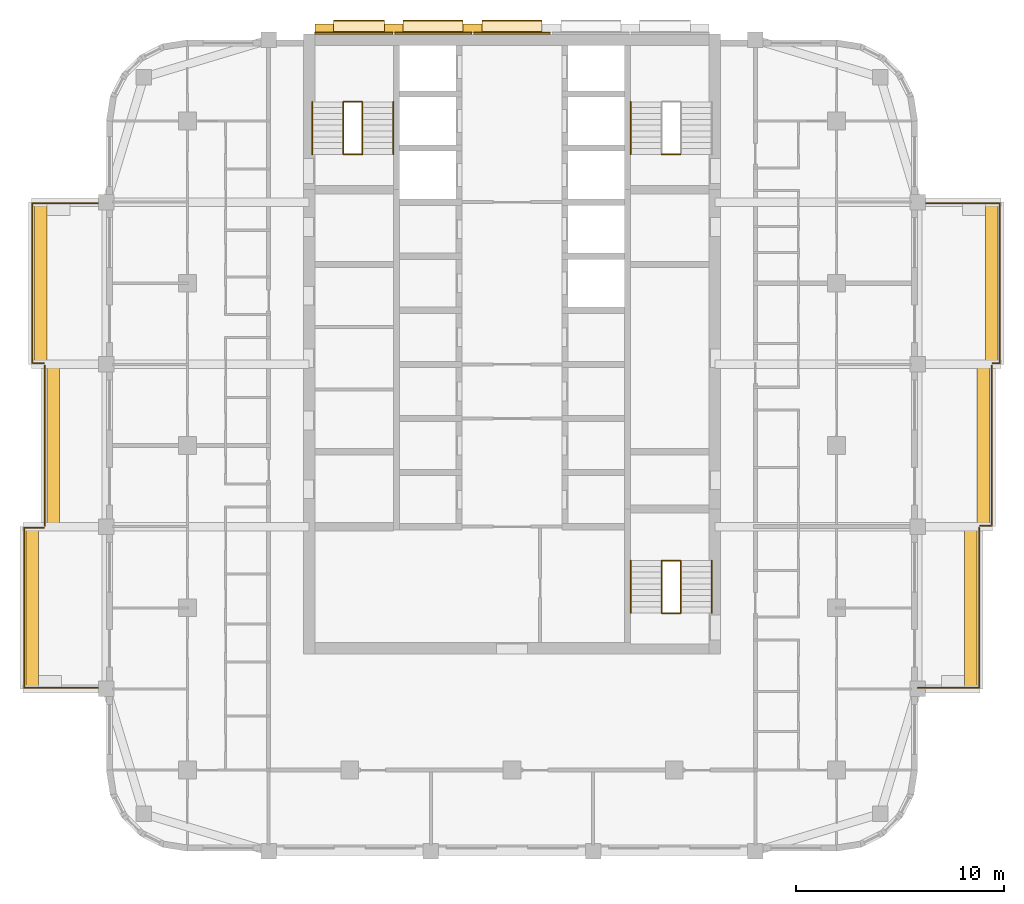
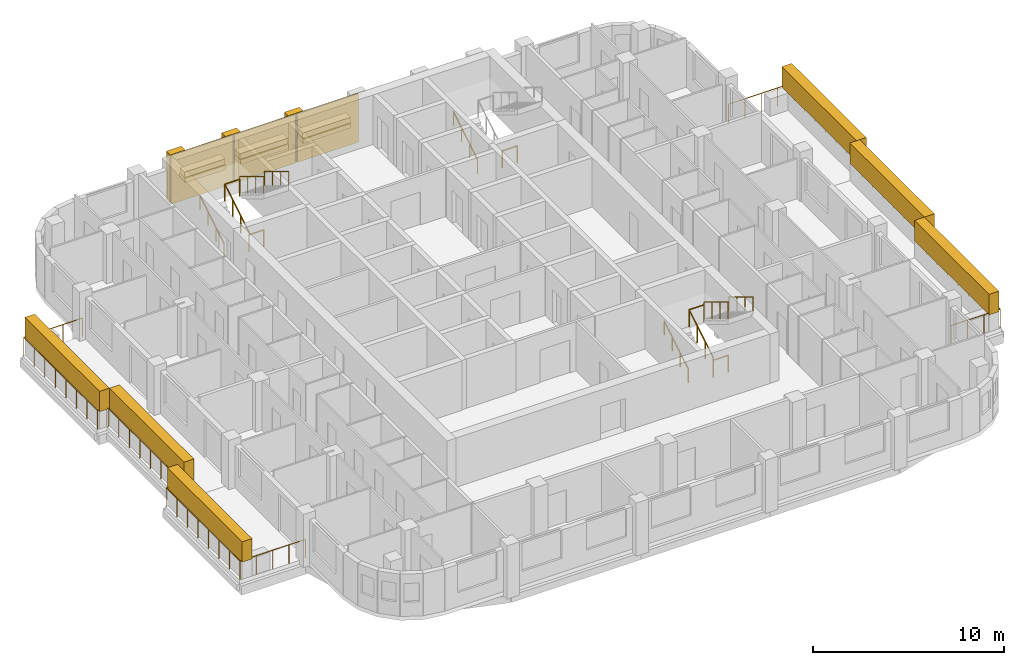
# One storey, part 12 of 13: 20 railings, 18 coverings, 3 elements without a shape of their own.
"""IFC4 building model written with IfcOpenShell, lengths in metres."""

from ifc_helpers import new_model, si_unit, direction, frame, origin, origin_2d, place, context, subcontext, project, spatial, rectangle, circle, extrude, material, layer, layer_set, type_object, element, aggregate, save


model = new_model("IFC4")

# Units and contexts
model_context = context("Model", 3, precision=1e-05, world=origin(), true_north=direction((0.0, 1.0)))
body_context = subcontext(model_context, "Body", "Model", "MODEL_VIEW")
ifc_project = project(units=[si_unit("LENGTHUNIT", "METRE"), si_unit("AREAUNIT", "SQUARE_METRE"), si_unit("VOLUMEUNIT", "CUBIC_METRE"), si_unit("PLANEANGLEUNIT", "RADIAN"), si_unit("MASSUNIT", "GRAM", prefix="KILO")], contexts=[model_context])

# Site, building, storey
site_placement = place(None, origin())
site = spatial("IfcSite", under=ifc_project, at=site_placement, CompositionType="ELEMENT")
building_placement = place(site_placement, origin())
building = spatial("IfcBuilding", under=site, at=building_placement, Name="Ludao Terraces", CompositionType="ELEMENT")
storey_placement = place(building_placement, frame((0.0, 0.0, 186.0)))
storey = spatial("IfcBuildingStorey", under=building, at=storey_placement, Name="L50", CompositionType="ELEMENT", Elevation=186.0)

# Railings
ifc_material_1 = material(Name="Stainless steel 304", Category="steel")
railing_type_1 = type_object("IfcRailingType", Name="ENV Balcony glass guard 1200", PredefinedType="GUARDRAIL", material=ifc_material_1)
railing_1_placement = place(storey_placement, frame((104.5, 53.35009765625, 0.0)))
element("IfcRailing", 1, at=railing_1_placement, inside=storey, type_object=railing_type_1, Name="Balcony guard L50 E1", PredefinedType="GUARDRAIL", context=body_context, shape_type="SweptSolid", body=[
    extrude(circle(Radius=0.02392578125, at=origin_2d()), frame((0.0, 0.0, 1.17578125), z_axis=(1.0, 0.0, 0.0), x_axis=(0.0, 1.0, 0.0)), (0.0, 0.0, 1.0), 2.949951171875),
    extrude(circle(Radius=0.02392578125, at=origin_2d()), frame((2.949951171875, 0.0, 1.17578125), z_axis=(0.0, 1.0, 0.0), x_axis=(-1.0, 0.0, 0.0)), (0.0, 0.0, 1.0), 7.699951171875),
    extrude(circle(Radius=0.02099609375, at=origin_2d()), origin(), (0.0, 0.0, 1.0), 1.15185546875),
    extrude(circle(Radius=0.02099609375, at=origin_2d()), frame((0.9833984375, 0.0, 0.0)), (0.0, 0.0, 1.0), 1.15185546875),
    extrude(circle(Radius=0.02099609375, at=origin_2d()), frame((1.966552734375, 0.0, 0.0)), (0.0, 0.0, 1.0), 1.15185546875),
    extrude(circle(Radius=0.02099609375, at=origin_2d()), frame((2.949951171875, 0.0, 0.0)), (0.0, 0.0, 1.0), 1.15185546875),
    extrude(circle(Radius=0.02099609375, at=origin_2d()), frame((2.949951171875, 1.10009765625, 0.0)), (0.0, 0.0, 1.0), 1.15185546875),
    extrude(circle(Radius=0.02099609375, at=origin_2d()), frame((2.949951171875, 2.199951171875, 0.0)), (0.0, 0.0, 1.0), 1.15185546875),
    extrude(circle(Radius=0.02099609375, at=origin_2d()), frame((2.949951171875, 3.300048828125, 0.0)), (0.0, 0.0, 1.0), 1.15185546875),
    extrude(circle(Radius=0.02099609375, at=origin_2d()), frame((2.949951171875, 4.39990234375, 0.0)), (0.0, 0.0, 1.0), 1.15185546875),
    extrude(circle(Radius=0.02099609375, at=origin_2d()), frame((2.949951171875, 5.5, 0.0)), (0.0, 0.0, 1.0), 1.15185546875),
    extrude(circle(Radius=0.02099609375, at=origin_2d()), frame((2.949951171875, 6.599853515625, 0.0)), (0.0, 0.0, 1.0), 1.15185546875),
    extrude(circle(Radius=0.02099609375, at=origin_2d()), frame((2.949951171875, 7.699951171875, 0.0)), (0.0, 0.0, 1.0), 1.15185546875),
])
railing_2_placement = place(storey_placement, frame((107.5, 61.14990234375, 0.0)))
element("IfcRailing", 2, at=railing_2_placement, inside=storey, type_object=railing_type_1, Name="Balcony guard L50 E2", PredefinedType="GUARDRAIL", context=body_context, shape_type="SweptSolid", body=[
    extrude(circle(Radius=0.02392578125, at=origin_2d()), frame((0.0, 0.0, 1.17578125), z_axis=(1.0, 0.0, 0.0), x_axis=(0.0, 1.0, 0.0)), (0.0, 0.0, 1.0), 0.550048828125),
    extrude(circle(Radius=0.02392578125, at=origin_2d()), frame((0.550048828125, 0.0, 1.17578125), z_axis=(0.0, 1.0, 0.0), x_axis=(-1.0, 0.0, 0.0)), (0.0, 0.0, 1.0), 7.7001953125),
    extrude(circle(Radius=0.02099609375, at=origin_2d()), origin(), (0.0, 0.0, 1.0), 1.15185546875),
    extrude(circle(Radius=0.02099609375, at=origin_2d()), frame((0.550048828125, 0.0, 0.0)), (0.0, 0.0, 1.0), 1.15185546875),
    extrude(circle(Radius=0.02099609375, at=origin_2d()), frame((0.550048828125, 1.10009765625, 0.0)), (0.0, 0.0, 1.0), 1.15185546875),
    extrude(circle(Radius=0.02099609375, at=origin_2d()), frame((0.550048828125, 2.199951171875, 0.0)), (0.0, 0.0, 1.0), 1.15185546875),
    extrude(circle(Radius=0.02099609375, at=origin_2d()), frame((0.550048828125, 3.300048828125, 0.0)), (0.0, 0.0, 1.0), 1.15185546875),
    extrude(circle(Radius=0.02099609375, at=origin_2d()), frame((0.550048828125, 4.400146484375, 0.0)), (0.0, 0.0, 1.0), 1.15185546875),
    extrude(circle(Radius=0.02099609375, at=origin_2d()), frame((0.550048828125, 5.500244140625, 0.0)), (0.0, 0.0, 1.0), 1.15185546875),
    extrude(circle(Radius=0.02099609375, at=origin_2d()), frame((0.550048828125, 6.60009765625, 0.0)), (0.0, 0.0, 1.0), 1.15185546875),
    extrude(circle(Radius=0.02099609375, at=origin_2d()), frame((0.550048828125, 7.7001953125, 0.0)), (0.0, 0.0, 1.0), 1.15185546875),
])
railing_3_placement = place(storey_placement, frame((108.10009765625, 68.949951171875, 0.0)))
element("IfcRailing", 3, at=railing_3_placement, inside=storey, type_object=railing_type_1, Name="Balcony guard L50 E3", PredefinedType="GUARDRAIL", context=body_context, shape_type="SweptSolid", body=[
    extrude(circle(Radius=0.02392578125, at=origin_2d()), frame((0.0, 0.0, 1.17578125), z_axis=(1.0, 0.0, 0.0), x_axis=(0.0, 1.0, 0.0)), (0.0, 0.0, 1.0), 0.349853515625),
    extrude(circle(Radius=0.02392578125, at=origin_2d()), frame((0.349853515625, 0.0, 1.17578125), z_axis=(0.0, 1.0, 0.0), x_axis=(-1.0, 0.0, 0.0)), (0.0, 0.0, 1.0), 7.699951171875),
    extrude(circle(Radius=0.02392578125, at=origin_2d()), frame((0.349853515625, 7.699951171875, 1.17578125), z_axis=(-1.0, 0.0, 0.0), x_axis=(0.0, -1.0, 0.0)), (0.0, 0.0, 1.0), 3.949951171875),
    extrude(circle(Radius=0.02099609375, at=origin_2d()), origin(), (0.0, 0.0, 1.0), 1.15185546875),
    extrude(circle(Radius=0.02099609375, at=origin_2d()), frame((0.349853515625, 0.0, 0.0)), (0.0, 0.0, 1.0), 1.15185546875),
    extrude(circle(Radius=0.02099609375, at=origin_2d()), frame((0.349853515625, 1.10009765625, 0.0)), (0.0, 0.0, 1.0), 1.15185546875),
    extrude(circle(Radius=0.02099609375, at=origin_2d()), frame((0.349853515625, 2.199951171875, 0.0)), (0.0, 0.0, 1.0), 1.15185546875),
    extrude(circle(Radius=0.02099609375, at=origin_2d()), frame((0.349853515625, 3.300048828125, 0.0)), (0.0, 0.0, 1.0), 1.15185546875),
    extrude(circle(Radius=0.02099609375, at=origin_2d()), frame((0.349853515625, 4.39990234375, 0.0)), (0.0, 0.0, 1.0), 1.15185546875),
    extrude(circle(Radius=0.02099609375, at=origin_2d()), frame((0.349853515625, 5.5, 0.0)), (0.0, 0.0, 1.0), 1.15185546875),
    extrude(circle(Radius=0.02099609375, at=origin_2d()), frame((0.349853515625, 6.599853515625, 0.0)), (0.0, 0.0, 1.0), 1.15185546875),
    extrude(circle(Radius=0.02099609375, at=origin_2d()), frame((0.349853515625, 7.699951171875, 0.0)), (0.0, 0.0, 1.0), 1.15185546875),
    extrude(circle(Radius=0.02099609375, at=origin_2d()), frame((-0.6376953125, 7.699951171875, 0.0)), (0.0, 0.0, 1.0), 1.15185546875),
    extrude(circle(Radius=0.02099609375, at=origin_2d()), frame((-1.625, 7.699951171875, 0.0)), (0.0, 0.0, 1.0), 1.15185546875),
    extrude(circle(Radius=0.02099609375, at=origin_2d()), frame((-2.612548828125, 7.699951171875, 0.0)), (0.0, 0.0, 1.0), 1.15185546875),
    extrude(circle(Radius=0.02099609375, at=origin_2d()), frame((-3.60009765625, 7.699951171875, 0.0)), (0.0, 0.0, 1.0), 1.15185546875),
])
railing_4_placement = place(storey_placement, frame((65.5, 53.35009765625, 0.0)))
element("IfcRailing", 4, at=railing_4_placement, inside=storey, type_object=railing_type_1, Name="Balcony guard L50 W1", PredefinedType="GUARDRAIL", context=body_context, shape_type="SweptSolid", body=[
    extrude(circle(Radius=0.02392578125, at=origin_2d()), frame((0.0, 0.0, 1.17578125), z_axis=(-1.0, 0.0, 0.0), x_axis=(0.0, -1.0, 0.0)), (0.0, 0.0, 1.0), 3.949951171875),
    extrude(circle(Radius=0.02392578125, at=origin_2d()), frame((-3.949951171875, 0.0, 1.17578125), z_axis=(0.0, 1.0, 0.0), x_axis=(-1.0, 0.0, 0.0)), (0.0, 0.0, 1.0), 7.699951171875),
    extrude(circle(Radius=0.02392578125, at=origin_2d()), frame((-3.949951171875, 7.699951171875, 1.17578125), z_axis=(1.0, 0.0, 0.0), x_axis=(0.0, 1.0, 0.0)), (0.0, 0.0, 1.0), 0.949951171875),
    extrude(circle(Radius=0.02099609375, at=origin_2d()), origin(), (0.0, 0.0, 1.0), 1.15185546875),
    extrude(circle(Radius=0.02099609375, at=origin_2d()), frame((-0.987548828125, 0.0, 0.0)), (0.0, 0.0, 1.0), 1.15185546875),
    extrude(circle(Radius=0.02099609375, at=origin_2d()), frame((-1.97509765625, 0.0, 0.0)), (0.0, 0.0, 1.0), 1.15185546875),
    extrude(circle(Radius=0.02099609375, at=origin_2d()), frame((-2.96240234375, 0.0, 0.0)), (0.0, 0.0, 1.0), 1.15185546875),
    extrude(circle(Radius=0.02099609375, at=origin_2d()), frame((-3.949951171875, 0.0, 0.0)), (0.0, 0.0, 1.0), 1.15185546875),
    extrude(circle(Radius=0.02099609375, at=origin_2d()), frame((-3.949951171875, 1.10009765625, 0.0)), (0.0, 0.0, 1.0), 1.15185546875),
    extrude(circle(Radius=0.02099609375, at=origin_2d()), frame((-3.949951171875, 2.199951171875, 0.0)), (0.0, 0.0, 1.0), 1.15185546875),
    extrude(circle(Radius=0.02099609375, at=origin_2d()), frame((-3.949951171875, 3.300048828125, 0.0)), (0.0, 0.0, 1.0), 1.15185546875),
    extrude(circle(Radius=0.02099609375, at=origin_2d()), frame((-3.949951171875, 4.39990234375, 0.0)), (0.0, 0.0, 1.0), 1.15185546875),
    extrude(circle(Radius=0.02099609375, at=origin_2d()), frame((-3.949951171875, 5.5, 0.0)), (0.0, 0.0, 1.0), 1.15185546875),
    extrude(circle(Radius=0.02099609375, at=origin_2d()), frame((-3.949951171875, 6.599853515625, 0.0)), (0.0, 0.0, 1.0), 1.15185546875),
    extrude(circle(Radius=0.02099609375, at=origin_2d()), frame((-3.949951171875, 7.699951171875, 0.0)), (0.0, 0.0, 1.0), 1.15185546875),
    extrude(circle(Radius=0.02099609375, at=origin_2d()), frame((-3.0, 7.699951171875, 0.0)), (0.0, 0.0, 1.0), 1.15185546875),
])
railing_5_placement = place(storey_placement, frame((62.550048828125, 61.14990234375, 0.0)))
element("IfcRailing", 5, at=railing_5_placement, inside=storey, type_object=railing_type_1, Name="Balcony guard L50 W2", PredefinedType="GUARDRAIL", context=body_context, shape_type="SweptSolid", body=[
    extrude(circle(Radius=0.02392578125, at=origin_2d()), frame((0.0, 0.0, 1.17578125), z_axis=(0.0, 1.0, 0.0), x_axis=(-1.0, 0.0, 0.0)), (0.0, 0.0, 1.0), 7.7001953125),
    extrude(circle(Radius=0.02099609375, at=origin_2d()), origin(), (0.0, 0.0, 1.0), 1.15185546875),
    extrude(circle(Radius=0.02099609375, at=origin_2d()), frame((0.0, 1.10009765625, 0.0)), (0.0, 0.0, 1.0), 1.15185546875),
    extrude(circle(Radius=0.02099609375, at=origin_2d()), frame((0.0, 2.199951171875, 0.0)), (0.0, 0.0, 1.0), 1.15185546875),
    extrude(circle(Radius=0.02099609375, at=origin_2d()), frame((0.0, 3.300048828125, 0.0)), (0.0, 0.0, 1.0), 1.15185546875),
    extrude(circle(Radius=0.02099609375, at=origin_2d()), frame((0.0, 4.400146484375, 0.0)), (0.0, 0.0, 1.0), 1.15185546875),
    extrude(circle(Radius=0.02099609375, at=origin_2d()), frame((0.0, 5.500244140625, 0.0)), (0.0, 0.0, 1.0), 1.15185546875),
    extrude(circle(Radius=0.02099609375, at=origin_2d()), frame((0.0, 6.60009765625, 0.0)), (0.0, 0.0, 1.0), 1.15185546875),
    extrude(circle(Radius=0.02099609375, at=origin_2d()), frame((0.0, 7.7001953125, 0.0)), (0.0, 0.0, 1.0), 1.15185546875),
])
railing_6_placement = place(storey_placement, frame((62.5, 68.949951171875, 0.0)))
element("IfcRailing", 6, at=railing_6_placement, inside=storey, type_object=railing_type_1, Name="Balcony guard L50 W3", PredefinedType="GUARDRAIL", context=body_context, shape_type="SweptSolid", body=[
    extrude(circle(Radius=0.02392578125, at=origin_2d()), frame((0.0, 0.0, 1.17578125), z_axis=(-1.0, 0.0, 0.0), x_axis=(0.0, -1.0, 0.0)), (0.0, 0.0, 1.0), 0.550048828125),
    extrude(circle(Radius=0.02392578125, at=origin_2d()), frame((-0.550048828125, 0.0, 1.17578125), z_axis=(0.0, 1.0, 0.0), x_axis=(-1.0, 0.0, 0.0)), (0.0, 0.0, 1.0), 7.699951171875),
    extrude(circle(Radius=0.02392578125, at=origin_2d()), frame((-0.550048828125, 7.699951171875, 1.17578125), z_axis=(1.0, 0.0, 0.0), x_axis=(0.0, 1.0, 0.0)), (0.0, 0.0, 1.0), 3.550048828125),
    extrude(circle(Radius=0.02099609375, at=origin_2d()), origin(), (0.0, 0.0, 1.0), 1.15185546875),
    extrude(circle(Radius=0.02099609375, at=origin_2d()), frame((-0.550048828125, 0.0, 0.0)), (0.0, 0.0, 1.0), 1.15185546875),
    extrude(circle(Radius=0.02099609375, at=origin_2d()), frame((-0.550048828125, 1.10009765625, 0.0)), (0.0, 0.0, 1.0), 1.15185546875),
    extrude(circle(Radius=0.02099609375, at=origin_2d()), frame((-0.550048828125, 2.199951171875, 0.0)), (0.0, 0.0, 1.0), 1.15185546875),
    extrude(circle(Radius=0.02099609375, at=origin_2d()), frame((-0.550048828125, 3.300048828125, 0.0)), (0.0, 0.0, 1.0), 1.15185546875),
    extrude(circle(Radius=0.02099609375, at=origin_2d()), frame((-0.550048828125, 4.39990234375, 0.0)), (0.0, 0.0, 1.0), 1.15185546875),
    extrude(circle(Radius=0.02099609375, at=origin_2d()), frame((-0.550048828125, 5.5, 0.0)), (0.0, 0.0, 1.0), 1.15185546875),
    extrude(circle(Radius=0.02099609375, at=origin_2d()), frame((-0.550048828125, 6.599853515625, 0.0)), (0.0, 0.0, 1.0), 1.15185546875),
    extrude(circle(Radius=0.02099609375, at=origin_2d()), frame((-0.550048828125, 7.699951171875, 0.0)), (0.0, 0.0, 1.0), 1.15185546875),
    extrude(circle(Radius=0.02099609375, at=origin_2d()), frame((0.63330078125, 7.699951171875, 0.0)), (0.0, 0.0, 1.0), 1.15185546875),
    extrude(circle(Radius=0.02099609375, at=origin_2d()), frame((1.816650390625, 7.699951171875, 0.0)), (0.0, 0.0, 1.0), 1.15185546875),
    extrude(circle(Radius=0.02099609375, at=origin_2d()), frame((3.0, 7.699951171875, 0.0)), (0.0, 0.0, 1.0), 1.15185546875),
])

# Coverings
ifc_material_2 = material(Name="Granite cladding", Category="masonry")
ifc_layer_1 = layer(ifc_material_2, 0.39990234375)
ifc_layer_set_1 = layer_set([ifc_layer_1], Name="ENV Core pilaster stone 400")
covering_type_1 = type_object("IfcCoveringType", Name="ENV Core pilaster stone 400", PredefinedType="CLADDING", material=ifc_layer_set_1)
for number, where, z_axis, x_axis, name in (
    (7, (75.97509765625, 85.054931640625, 0.0), (0.0, 0.0, 1.0), (1.0, 0.0, 0.0), "CC-L50-PIL1"),
    (8, (79.31494140625, 85.054931640625, 0.0), (0.0, 0.0, 1.0), (1.0, 0.0, 0.0), "CC-L50-PIL2"),
    (9, (83.10498046875, 85.054931640625, 0.0), (0.0, 0.0, 1.0), (1.0, 0.0, 0.0), "CC-L50-PIL3"),
):
    element("IfcCovering", number, at=place(storey_placement, frame(where, z_axis=z_axis, x_axis=x_axis)), inside=storey, type_object=covering_type_1, Name=name, PredefinedType="CLADDING", context=body_context, shape_type="SweptSolid", body=[
        extrude(rectangle(XDim=0.89990234375, YDim=0.39990234375, at=origin_2d()), origin(), (0.0, 0.0, 1.0), 3.10009765625),
    ])
ifc_layer_2 = layer(ifc_material_2, 0.60009765625)
ifc_layer_set_2 = layer_set([ifc_layer_2], Name="ENV Core planting shelf stone 600")
covering_type_2 = type_object("IfcCoveringType", Name="ENV Core planting shelf stone 600", PredefinedType="CLADDING", material=ifc_layer_set_2)
covering_1_placement = place(storey_placement, frame((77.64501953125, 85.155029296875, 1.0), z_axis=(0.0, 0.0, 1.0), x_axis=(1.0, 0.0, 0.0)))
element("IfcCovering", 10, at=covering_1_placement, inside=storey, type_object=covering_type_2, Name="CC-L50-SHELF1", PredefinedType="CLADDING", context=body_context, shape_type="SweptSolid", body=[
    extrude(rectangle(XDim=2.43994140625, YDim=0.60009765625, at=origin_2d()), origin(), (0.0, 0.0, 1.0), 0.300048828125),
])
for number, where, z_axis, x_axis, name in (
    (11, (81.2099609375, 85.155029296875, 1.0), (0.0, 0.0, 1.0), (1.0, 0.0, 0.0), "CC-L50-SHELF2"),
    (12, (85.0, 85.155029296875, 1.0), (0.0, 0.0, 1.0), (1.0, 0.0, 0.0), "CC-L50-SHELF3"),
):
    element("IfcCovering", number, at=place(storey_placement, frame(where, z_axis=z_axis, x_axis=x_axis)), inside=storey, type_object=covering_type_2, Name=name, PredefinedType="CLADDING", context=body_context, shape_type="SweptSolid", body=[
        extrude(rectangle(XDim=2.889892578125, YDim=0.60009765625, at=origin_2d()), origin(), (0.0, 0.0, 1.0), 0.300048828125),
    ])
ifc_layer_3 = layer(ifc_material_2, 0.080078125)
ifc_layer_set_3 = layer_set([ifc_layer_3], Name="ENV Core stone cladding panel 80")
covering_type_3 = type_object("IfcCoveringType", Name="ENV Core stone cladding panel 80", PredefinedType="CLADDING", material=ifc_layer_set_3)
covering_2_placement = place(storey_placement, frame((77.39501953125, 84.81494140625, 0.0), z_axis=(0.0, 0.0, 1.0), x_axis=(1.0, 0.0, 0.0)))
element("IfcCovering", 13, at=covering_2_placement, inside=storey, type_object=covering_type_3, Name="CC-L50-CORE1", PredefinedType="CLADDING", context=body_context, shape_type="SweptSolid", body=[
    extrude(rectangle(XDim=3.739990234375, YDim=0.080078125, at=origin_2d()), origin(), (0.0, 0.0, 1.0), 3.10009765625),
])
for number, where, z_axis, x_axis, name in (
    (14, (81.2099609375, 84.81494140625, 0.0), (0.0, 0.0, 1.0), (1.0, 0.0, 0.0), "CC-L50-CORE2"),
    (15, (85.0, 84.81494140625, 0.0), (0.0, 0.0, 1.0), (1.0, 0.0, 0.0), "CC-L50-CORE3"),
):
    element("IfcCovering", number, at=place(storey_placement, frame(where, z_axis=z_axis, x_axis=x_axis)), inside=storey, type_object=covering_type_3, Name=name, PredefinedType="CLADDING", context=body_context, shape_type="SweptSolid", body=[
        extrude(rectangle(XDim=3.68994140625, YDim=0.080078125, at=origin_2d()), origin(), (0.0, 0.0, 1.0), 3.10009765625),
    ])
ifc_material_3 = material(Name="Planting")
ifc_layer_4 = layer(ifc_material_3, 0.60009765625)
ifc_layer_set_4 = layer_set([ifc_layer_4], Name="ENV Planting hedge 600x1300")
covering_type_4 = type_object("IfcCoveringType", Name="ENV Planting hedge 600x1300", PredefinedType="USERDEFINED", material=ifc_layer_set_4)
for number, where, z_axis, x_axis, name in (
    (16, (107.050048828125, 57.199951171875, 1.10009765625), (0.0, 0.0, 1.0), (1.0, 0.0, 0.0), "Planting hedge L50-E1"),
    (17, (107.64990234375, 65.0, 1.10009765625), (0.0, 0.0, 1.0), (1.0, 0.0, 0.0), "Planting hedge L50-E2"),
    (18, (108.050048828125, 72.800048828125, 1.10009765625), (0.0, 0.0, 1.0), (1.0, 0.0, 0.0), "Planting hedge L50-E3"),
    (19, (61.949951171875, 57.199951171875, 1.10009765625), (0.0, 0.0, 1.0), (1.0, 0.0, 0.0), "Planting hedge L50-W1"),
    (20, (62.949951171875, 65.0, 1.10009765625), (0.0, 0.0, 1.0), (1.0, 0.0, 0.0), "Planting hedge L50-W2"),
    (21, (62.35009765625, 72.800048828125, 1.10009765625), (0.0, 0.0, 1.0), (1.0, 0.0, 0.0), "Planting hedge L50-W3"),
):
    element("IfcCovering", number, at=place(storey_placement, frame(where, z_axis=z_axis, x_axis=x_axis)), inside=storey, type_object=covering_type_4, Name=name, ObjectType="PLANTING", PredefinedType="USERDEFINED", context=body_context, shape_type="SweptSolid", body=[
        extrude(rectangle(XDim=0.60009765625, YDim=7.800048828125, at=origin_2d()), origin(), (0.0, 0.0, 1.0), 1.300048828125),
    ])
ifc_layer_5 = layer(ifc_material_3, 0.5)
ifc_layer_set_5 = layer_set([ifc_layer_5], Name="ENV Shelf planting bed 350")
covering_type_5 = type_object("IfcCoveringType", Name="ENV Shelf planting bed 350", PredefinedType="USERDEFINED", material=ifc_layer_set_5)
covering_3_placement = place(storey_placement, frame((77.64501953125, 85.155029296875, 1.300048828125), z_axis=(0.0, 0.0, 1.0), x_axis=(1.0, 0.0, 0.0)))
element("IfcCovering", 22, at=covering_3_placement, inside=storey, type_object=covering_type_5, Name="Shelf planting bed L50 1", ObjectType="PLANTING", PredefinedType="USERDEFINED", context=body_context, shape_type="SweptSolid", body=[
    extrude(rectangle(XDim=2.43994140625, YDim=0.5, at=origin_2d()), origin(), (0.0, 0.0, 1.0), 0.35009765625),
])
for number, where, z_axis, x_axis, name in (
    (23, (81.2099609375, 85.155029296875, 1.300048828125), (0.0, 0.0, 1.0), (1.0, 0.0, 0.0), "Shelf planting bed L50 2"),
    (24, (85.0, 85.155029296875, 1.300048828125), (0.0, 0.0, 1.0), (1.0, 0.0, 0.0), "Shelf planting bed L50 3"),
):
    element("IfcCovering", number, at=place(storey_placement, frame(where, z_axis=z_axis, x_axis=x_axis)), inside=storey, type_object=covering_type_5, Name=name, ObjectType="PLANTING", PredefinedType="USERDEFINED", context=body_context, shape_type="SweptSolid", body=[
        extrude(rectangle(XDim=2.889892578125, YDim=0.5, at=origin_2d()), origin(), (0.0, 0.0, 1.0), 0.35009765625),
    ])

# Stair, railings
ifc_material_4 = material(Name="Concrete C40", Category="concrete")
stair_type = type_object("IfcStairType", Name="INT Stair", PredefinedType="HALF_TURN_STAIR", material=ifc_material_4)
stair_1_placement = place(storey_placement, origin())
stair_1 = element("IfcStair", 25, at=stair_1_placement, inside=storey, type_object=stair_type, Name="EXIT STAIR 1", PredefinedType="HALF_TURN_STAIR")
railing_type_2 = type_object("IfcRailingType", Name="INT Stair guard 1100", PredefinedType="GUARDRAIL", material=ifc_material_1)
railing_7_placement = place(storey_placement, frame((76.89990234375, 79.0, 0.169921875)))
railing_7 = element("IfcRailing", 26, at=railing_7_placement, type_object=railing_type_2, Name="ST-L50-S1-R1G", PredefinedType="GUARDRAIL", context=body_context, shape_type="SweptSolid", body=[
    extrude(circle(Radius=0.02392578125, at=origin_2d()), frame((0.0, 0.0, 1.076171875), z_axis=(0.0, 0.85478489116, 0.518982456201), x_axis=(-1.0, 0.0, 0.0)), (0.0, 0.0, 1.0), 2.9482421875),
    extrude(circle(Radius=0.02099609375, at=origin_2d()), origin(), (0.0, 0.0, 1.0), 1.052001953125),
    extrude(circle(Radius=0.02099609375, at=origin_2d()), frame((0.0, 0.840087890625, 0.510009765625)), (0.0, 0.0, 1.0), 1.052001953125),
    extrude(circle(Radius=0.02099609375, at=origin_2d()), frame((0.0, 1.679931640625, 1.02001953125)), (0.0, 0.0, 1.0), 1.052001953125),
    extrude(circle(Radius=0.02099609375, at=origin_2d()), frame((0.0, 2.52001953125, 1.530029296875)), (0.0, 0.0, 1.0), 1.052001953125),
])
railing_8_placement = place(storey_placement, frame((77.800048828125, 81.52001953125, 1.8701171875)))
railing_8 = element("IfcRailing", 27, at=railing_8_placement, type_object=railing_type_2, Name="ST-L50-S1-R2G", PredefinedType="GUARDRAIL", context=body_context, shape_type="SweptSolid", body=[
    extrude(circle(Radius=0.02392578125, at=origin_2d()), frame((0.0, 0.0, 1.076171875), z_axis=(0.0, -0.854821627497, 0.518921945155), x_axis=(1.0, 0.0, 0.0)), (0.0, 0.0, 1.0), 2.947998046875),
    extrude(circle(Radius=0.02099609375, at=origin_2d()), origin(), (0.0, 0.0, 1.0), 1.052001953125),
    extrude(circle(Radius=0.02099609375, at=origin_2d()), frame((0.0, -0.840087890625, 0.510009765625)), (0.0, 0.0, 1.0), 1.052001953125),
    extrude(circle(Radius=0.02099609375, at=origin_2d()), frame((0.0, -1.679931640625, 1.019775390625)), (0.0, 0.0, 1.0), 1.052001953125),
    extrude(circle(Radius=0.02099609375, at=origin_2d()), frame((0.0, -2.52001953125, 1.52978515625)), (0.0, 0.0, 1.0), 1.052001953125),
])
railing_9_placement = place(storey_placement, frame((76.89990234375, 81.52001953125, 1.699951171875)))
railing_9 = element("IfcRailing", 28, at=railing_9_placement, type_object=railing_type_2, Name="ST-L50-S1-E1G", PredefinedType="GUARDRAIL", context=body_context, shape_type="SweptSolid", body=[
    extrude(circle(Radius=0.02392578125, at=origin_2d()), frame((0.0, 0.0, 1.076171875), z_axis=(1.0, 0.0, 0.0), x_axis=(0.0, 1.0, 0.0)), (0.0, 0.0, 1.0), 0.900146484375),
    extrude(circle(Radius=0.02099609375, at=origin_2d()), origin(), (0.0, 0.0, 1.0), 1.052001953125),
    extrude(circle(Radius=0.02099609375, at=origin_2d()), frame((0.900146484375, 0.0, 0.0)), (0.0, 0.0, 1.0), 1.052001953125),
])
railing_10_placement = place(storey_placement, frame((76.89990234375, 79.0, 0.0)))
railing_10 = element("IfcRailing", 29, at=railing_10_placement, type_object=railing_type_2, Name="ST-L50-S1-E2G", PredefinedType="GUARDRAIL", context=body_context, shape_type="SweptSolid", body=[
    extrude(circle(Radius=0.02392578125, at=origin_2d()), frame((0.0, 0.0, 1.076171875), z_axis=(1.0, 0.0, 0.0), x_axis=(0.0, 1.0, 0.0)), (0.0, 0.0, 1.0), 0.900146484375),
    extrude(circle(Radius=0.02099609375, at=origin_2d()), origin(), (0.0, 0.0, 1.0), 1.052001953125),
    extrude(circle(Radius=0.02099609375, at=origin_2d()), frame((0.900146484375, 0.0, 0.0)), (0.0, 0.0, 1.0), 1.052001953125),
])

# Stair, railing
stair_2_placement = place(storey_placement, origin())
stair_2 = element("IfcStair", 30, at=stair_2_placement, inside=storey, type_object=stair_type, Name="EXIT STAIR 2", PredefinedType="HALF_TURN_STAIR")
railing_11_placement = place(storey_placement, frame((92.199951171875, 79.0, 0.0)))
railing_11 = element("IfcRailing", 31, at=railing_11_placement, type_object=railing_type_2, Name="ST-L50-S2-E2G", PredefinedType="GUARDRAIL", context=body_context, shape_type="SweptSolid", body=[
    extrude(circle(Radius=0.02392578125, at=origin_2d()), frame((0.0, 0.0, 1.076171875), z_axis=(1.0, 0.0, 0.0), x_axis=(0.0, 1.0, 0.0)), (0.0, 0.0, 1.0), 0.900146484375),
    extrude(circle(Radius=0.02099609375, at=origin_2d()), origin(), (0.0, 0.0, 1.0), 1.052001953125),
    extrude(circle(Radius=0.02099609375, at=origin_2d()), frame((0.900146484375, 0.0, 0.0)), (0.0, 0.0, 1.0), 1.052001953125),
])

# Stair, railings
stair_3_placement = place(storey_placement, origin())
stair_3 = element("IfcStair", 32, at=stair_3_placement, inside=storey, type_object=stair_type, Name="EXIT STAIR 3", PredefinedType="HALF_TURN_STAIR")
railing_12_placement = place(storey_placement, frame((92.199951171875, 56.949951171875, 0.169921875)))
railing_12 = element("IfcRailing", 33, at=railing_12_placement, type_object=railing_type_2, Name="ST-L50-S3-R1G", PredefinedType="GUARDRAIL", context=body_context, shape_type="SweptSolid", body=[
    extrude(circle(Radius=0.02392578125, at=origin_2d()), frame((0.0, 0.0, 1.076171875), z_axis=(0.0, 0.85478489116, 0.518982456201), x_axis=(-1.0, 0.0, 0.0)), (0.0, 0.0, 1.0), 2.9482421875),
    extrude(circle(Radius=0.02099609375, at=origin_2d()), origin(), (0.0, 0.0, 1.0), 1.052001953125),
    extrude(circle(Radius=0.02099609375, at=origin_2d()), frame((0.0, 0.840087890625, 0.510009765625)), (0.0, 0.0, 1.0), 1.052001953125),
    extrude(circle(Radius=0.02099609375, at=origin_2d()), frame((0.0, 1.679931640625, 1.02001953125)), (0.0, 0.0, 1.0), 1.052001953125),
    extrude(circle(Radius=0.02099609375, at=origin_2d()), frame((0.0, 2.52001953125, 1.530029296875)), (0.0, 0.0, 1.0), 1.052001953125),
])
railing_13_placement = place(storey_placement, frame((93.10009765625, 59.469970703125, 1.8701171875)))
railing_13 = element("IfcRailing", 34, at=railing_13_placement, type_object=railing_type_2, Name="ST-L50-S3-R2G", PredefinedType="GUARDRAIL", context=body_context, shape_type="SweptSolid", body=[
    extrude(circle(Radius=0.02392578125, at=origin_2d()), frame((0.0, 0.0, 1.076171875), z_axis=(0.0, -0.854821627497, 0.518921945155), x_axis=(1.0, 0.0, 0.0)), (0.0, 0.0, 1.0), 2.947998046875),
    extrude(circle(Radius=0.02099609375, at=origin_2d()), origin(), (0.0, 0.0, 1.0), 1.052001953125),
    extrude(circle(Radius=0.02099609375, at=origin_2d()), frame((0.0, -0.840087890625, 0.510009765625)), (0.0, 0.0, 1.0), 1.052001953125),
    extrude(circle(Radius=0.02099609375, at=origin_2d()), frame((0.0, -1.679931640625, 1.019775390625)), (0.0, 0.0, 1.0), 1.052001953125),
    extrude(circle(Radius=0.02099609375, at=origin_2d()), frame((0.0, -2.52001953125, 1.52978515625)), (0.0, 0.0, 1.0), 1.052001953125),
])
railing_14_placement = place(storey_placement, frame((92.199951171875, 59.469970703125, 1.699951171875)))
railing_14 = element("IfcRailing", 35, at=railing_14_placement, type_object=railing_type_2, Name="ST-L50-S3-E1G", PredefinedType="GUARDRAIL", context=body_context, shape_type="SweptSolid", body=[
    extrude(circle(Radius=0.02392578125, at=origin_2d()), frame((0.0, 0.0, 1.076171875), z_axis=(1.0, 0.0, 0.0), x_axis=(0.0, 1.0, 0.0)), (0.0, 0.0, 1.0), 0.900146484375),
    extrude(circle(Radius=0.02099609375, at=origin_2d()), origin(), (0.0, 0.0, 1.0), 1.052001953125),
    extrude(circle(Radius=0.02099609375, at=origin_2d()), frame((0.900146484375, 0.0, 0.0)), (0.0, 0.0, 1.0), 1.052001953125),
])
railing_15_placement = place(storey_placement, frame((92.199951171875, 56.949951171875, 0.0)))
railing_15 = element("IfcRailing", 36, at=railing_15_placement, type_object=railing_type_2, Name="ST-L50-S3-E2G", PredefinedType="GUARDRAIL", context=body_context, shape_type="SweptSolid", body=[
    extrude(circle(Radius=0.02392578125, at=origin_2d()), frame((0.0, 0.0, 1.076171875), z_axis=(1.0, 0.0, 0.0), x_axis=(0.0, 1.0, 0.0)), (0.0, 0.0, 1.0), 0.900146484375),
    extrude(circle(Radius=0.02099609375, at=origin_2d()), origin(), (0.0, 0.0, 1.0), 1.052001953125),
    extrude(circle(Radius=0.02099609375, at=origin_2d()), frame((0.900146484375, 0.0, 0.0)), (0.0, 0.0, 1.0), 1.052001953125),
])

# Railing
railing_type_3 = type_object("IfcRailingType", Name="INT Stair handrail 900", PredefinedType="HANDRAIL", material=ifc_material_1)
railing_16_placement = place(storey_placement, frame((75.39990234375, 79.0, 0.169921875)))
railing_16 = element("IfcRailing", 37, at=railing_16_placement, type_object=railing_type_3, Name="ST-L50-S1-R1H", PredefinedType="HANDRAIL", context=body_context, shape_type="SweptSolid", body=[
    extrude(circle(Radius=0.02392578125, at=origin_2d()), frame((0.0, 0.0, 0.8759765625), z_axis=(0.0, 0.85478489116, 0.518982456201), x_axis=(-1.0, 0.0, 0.0)), (0.0, 0.0, 1.0), 2.9482421875),
    extrude(circle(Radius=0.02099609375, at=origin_2d()), origin(), (0.0, 0.0, 1.0), 0.851806640625),
    extrude(circle(Radius=0.02099609375, at=origin_2d()), frame((0.0, 0.840087890625, 0.510009765625)), (0.0, 0.0, 1.0), 0.851806640625),
    extrude(circle(Radius=0.02099609375, at=origin_2d()), frame((0.0, 1.679931640625, 1.02001953125)), (0.0, 0.0, 1.0), 0.851806640625),
    extrude(circle(Radius=0.02099609375, at=origin_2d()), frame((0.0, 2.52001953125, 1.530029296875)), (0.0, 0.0, 1.0), 0.851806640625),
])

railing_17_placement = place(storey_placement, frame((79.300048828125, 81.52001953125, 1.8701171875)))
railing_17 = element("IfcRailing", 38, at=railing_17_placement, type_object=railing_type_3, Name="ST-L50-S1-R2H", PredefinedType="HANDRAIL", context=body_context, shape_type="SweptSolid", body=[
    extrude(circle(Radius=0.02392578125, at=origin_2d()), frame((0.0, 0.0, 0.8759765625), z_axis=(0.0, -0.854821627497, 0.518921945155), x_axis=(1.0, 0.0, 0.0)), (0.0, 0.0, 1.0), 2.947998046875),
    extrude(circle(Radius=0.02099609375, at=origin_2d()), origin(), (0.0, 0.0, 1.0), 0.851806640625),
    extrude(circle(Radius=0.02099609375, at=origin_2d()), frame((0.0, -0.840087890625, 0.510009765625)), (0.0, 0.0, 1.0), 0.851806640625),
    extrude(circle(Radius=0.02099609375, at=origin_2d()), frame((0.0, -1.679931640625, 1.019775390625)), (0.0, 0.0, 1.0), 0.851806640625),
    extrude(circle(Radius=0.02099609375, at=origin_2d()), frame((0.0, -2.52001953125, 1.52978515625)), (0.0, 0.0, 1.0), 0.851806640625),
])

aggregate(stair_1, [railing_7, railing_16, railing_8, railing_17, railing_9, railing_10])

railing_18_placement = place(storey_placement, frame((90.699951171875, 79.0, 0.169921875)))
railing_18 = element("IfcRailing", 39, at=railing_18_placement, type_object=railing_type_3, Name="ST-L50-S2-R1H", PredefinedType="HANDRAIL", context=body_context, shape_type="SweptSolid", body=[
    extrude(circle(Radius=0.02392578125, at=origin_2d()), frame((0.0, 0.0, 0.8759765625), z_axis=(0.0, 0.85478489116, 0.518982456201), x_axis=(-1.0, 0.0, 0.0)), (0.0, 0.0, 1.0), 2.9482421875),
    extrude(circle(Radius=0.02099609375, at=origin_2d()), origin(), (0.0, 0.0, 1.0), 0.851806640625),
    extrude(circle(Radius=0.02099609375, at=origin_2d()), frame((0.0, 0.840087890625, 0.510009765625)), (0.0, 0.0, 1.0), 0.851806640625),
    extrude(circle(Radius=0.02099609375, at=origin_2d()), frame((0.0, 1.679931640625, 1.02001953125)), (0.0, 0.0, 1.0), 0.851806640625),
    extrude(circle(Radius=0.02099609375, at=origin_2d()), frame((0.0, 2.52001953125, 1.530029296875)), (0.0, 0.0, 1.0), 0.851806640625),
])

aggregate(stair_2, [railing_18, railing_11])

railing_19_placement = place(storey_placement, frame((90.699951171875, 56.949951171875, 0.169921875)))
railing_19 = element("IfcRailing", 40, at=railing_19_placement, type_object=railing_type_3, Name="ST-L50-S3-R1H", PredefinedType="HANDRAIL", context=body_context, shape_type="SweptSolid", body=[
    extrude(circle(Radius=0.02392578125, at=origin_2d()), frame((0.0, 0.0, 0.8759765625), z_axis=(0.0, 0.85478489116, 0.518982456201), x_axis=(-1.0, 0.0, 0.0)), (0.0, 0.0, 1.0), 2.9482421875),
    extrude(circle(Radius=0.02099609375, at=origin_2d()), origin(), (0.0, 0.0, 1.0), 0.851806640625),
    extrude(circle(Radius=0.02099609375, at=origin_2d()), frame((0.0, 0.840087890625, 0.510009765625)), (0.0, 0.0, 1.0), 0.851806640625),
    extrude(circle(Radius=0.02099609375, at=origin_2d()), frame((0.0, 1.679931640625, 1.02001953125)), (0.0, 0.0, 1.0), 0.851806640625),
    extrude(circle(Radius=0.02099609375, at=origin_2d()), frame((0.0, 2.52001953125, 1.530029296875)), (0.0, 0.0, 1.0), 0.851806640625),
])

railing_20_placement = place(storey_placement, frame((94.60009765625, 59.469970703125, 1.8701171875)))
railing_20 = element("IfcRailing", 41, at=railing_20_placement, type_object=railing_type_3, Name="ST-L50-S3-R2H", PredefinedType="HANDRAIL", context=body_context, shape_type="SweptSolid", body=[
    extrude(circle(Radius=0.02392578125, at=origin_2d()), frame((0.0, 0.0, 0.8759765625), z_axis=(0.0, -0.854821627497, 0.518921945155), x_axis=(1.0, 0.0, 0.0)), (0.0, 0.0, 1.0), 2.947998046875),
    extrude(circle(Radius=0.02099609375, at=origin_2d()), origin(), (0.0, 0.0, 1.0), 0.851806640625),
    extrude(circle(Radius=0.02099609375, at=origin_2d()), frame((0.0, -0.840087890625, 0.510009765625)), (0.0, 0.0, 1.0), 0.851806640625),
    extrude(circle(Radius=0.02099609375, at=origin_2d()), frame((0.0, -1.679931640625, 1.019775390625)), (0.0, 0.0, 1.0), 0.851806640625),
    extrude(circle(Radius=0.02099609375, at=origin_2d()), frame((0.0, -2.52001953125, 1.52978515625)), (0.0, 0.0, 1.0), 0.851806640625),
])

aggregate(stair_3, [railing_12, railing_19, railing_13, railing_20, railing_14, railing_15])

save(model, "model.ifc")
